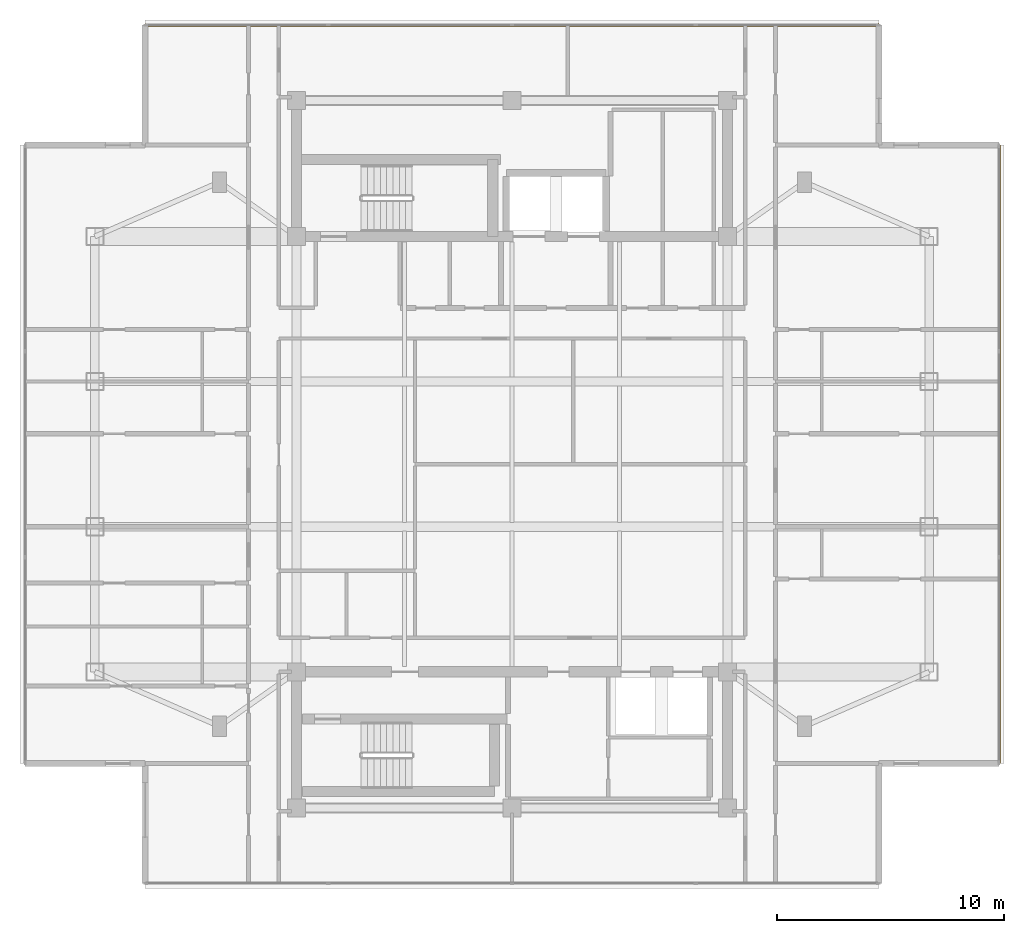
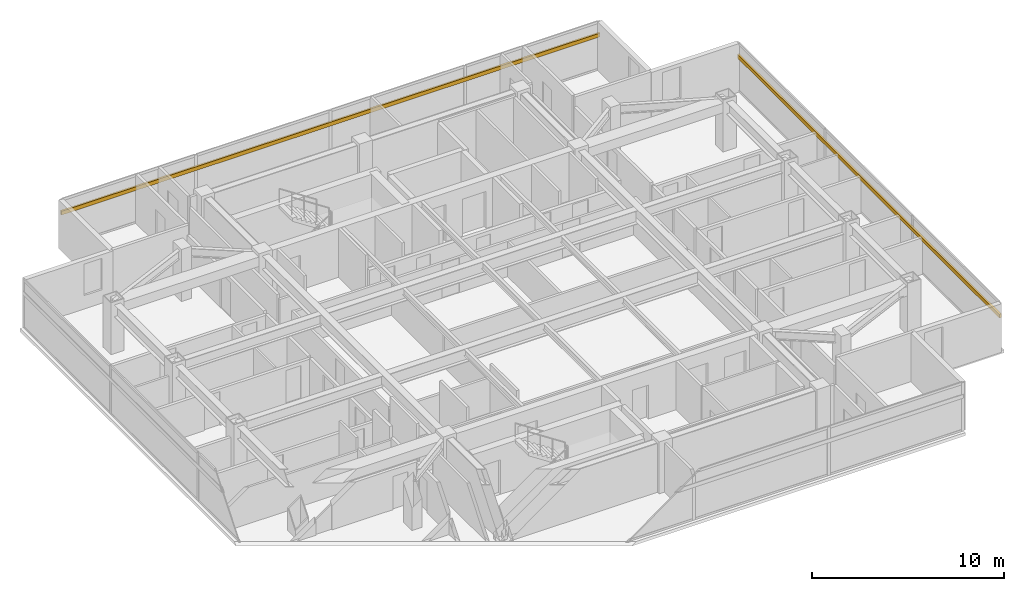
# One storey, part 14 of 14: 2 shading devices.
"""IFC4 building model written with IfcOpenShell, lengths in metres."""

from ifc_helpers import new_model, si_unit, direction, frame, origin, origin_2d, place, context, subcontext, project, spatial, rectangle, extrude, material, material_profile, profile_set, type_object, element, save


model = new_model("IFC4")

# Units and contexts
model_context = context("Model", 3, precision=1e-05, world=origin(), true_north=direction((0.0, 1.0)))
body_context = subcontext(model_context, "Body", "Model", "MODEL_VIEW")
ifc_project = project(units=[si_unit("LENGTHUNIT", "METRE"), si_unit("AREAUNIT", "SQUARE_METRE"), si_unit("VOLUMEUNIT", "CUBIC_METRE"), si_unit("PLANEANGLEUNIT", "RADIAN"), si_unit("MASSUNIT", "GRAM", prefix="KILO")], contexts=[model_context])

# Site, building, storey
site_placement = place(None, origin())
site = spatial("IfcSite", under=ifc_project, at=site_placement, CompositionType="ELEMENT")
building_placement = place(site_placement, origin())
building = spatial("IfcBuilding", under=site, at=building_placement, Name="Mirazonda Arch Towers", CompositionType="ELEMENT")
storey_placement = place(building_placement, frame((0.0, 0.0, 235.89990234375)))
storey = spatial("IfcBuildingStorey", under=building, at=storey_placement, Name="L67", CompositionType="ELEMENT", Elevation=235.89990234375)

# Shading devices
ifc_material = material(Name="Kiln-Fired Architectural Terracotta", Category="masonry")
ifc_material_profile = material_profile(ifc_material, rectangle(XDim=0.1201171875, YDim=0.239990234375, at=origin_2d()), Name="TERRA-BAG-120x240")
ifc_profile_set = profile_set([ifc_material_profile], Name="Kiln-Fired Architectural Terracotta")
shading_device_type = type_object("IfcShadingDeviceType", Name="BAGUETTE-1", PredefinedType="USERDEFINED", material=ifc_profile_set)
shading_device_1_placement = place(storey_placement, frame((41.97998046875, 14.360107421875, 2.2177734375), z_axis=(0.0, 1.0, 0.0), x_axis=(-1.0, 0.0, 0.0)))
element("IfcShadingDevice", 1, at=shading_device_1_placement, inside=storey, type_object=shading_device_type, Name="L67 Glazed Terracotta Sun-Screen Baguette CW-L67-T1-E", ObjectType="BAGUETTE", PredefinedType="USERDEFINED", context=body_context, shape_type="SweptSolid", body=[
    extrude(rectangle(XDim=0.1201171875, YDim=0.239990234375, at=origin_2d()), origin(), (0.0, 0.0, 1.0), 27.27978515625),
])
shading_device_2_placement = place(storey_placement, frame((4.31005859375, 46.929931640625, 2.2177734375), z_axis=(1.0, 0.0, 0.0), x_axis=(0.0, 1.0, 0.0)))
element("IfcShadingDevice", 2, at=shading_device_2_placement, inside=storey, type_object=shading_device_type, Name="L67 Glazed Terracotta Sun-Screen Baguette CW-L67-T1-N", ObjectType="BAGUETTE", PredefinedType="USERDEFINED", context=body_context, shape_type="SweptSolid", body=[
    extrude(rectangle(XDim=0.1201171875, YDim=0.239990234375, at=origin_2d()), origin(), (0.0, 0.0, 1.0), 32.3798828125),
])

save(model, "model.ifc")
